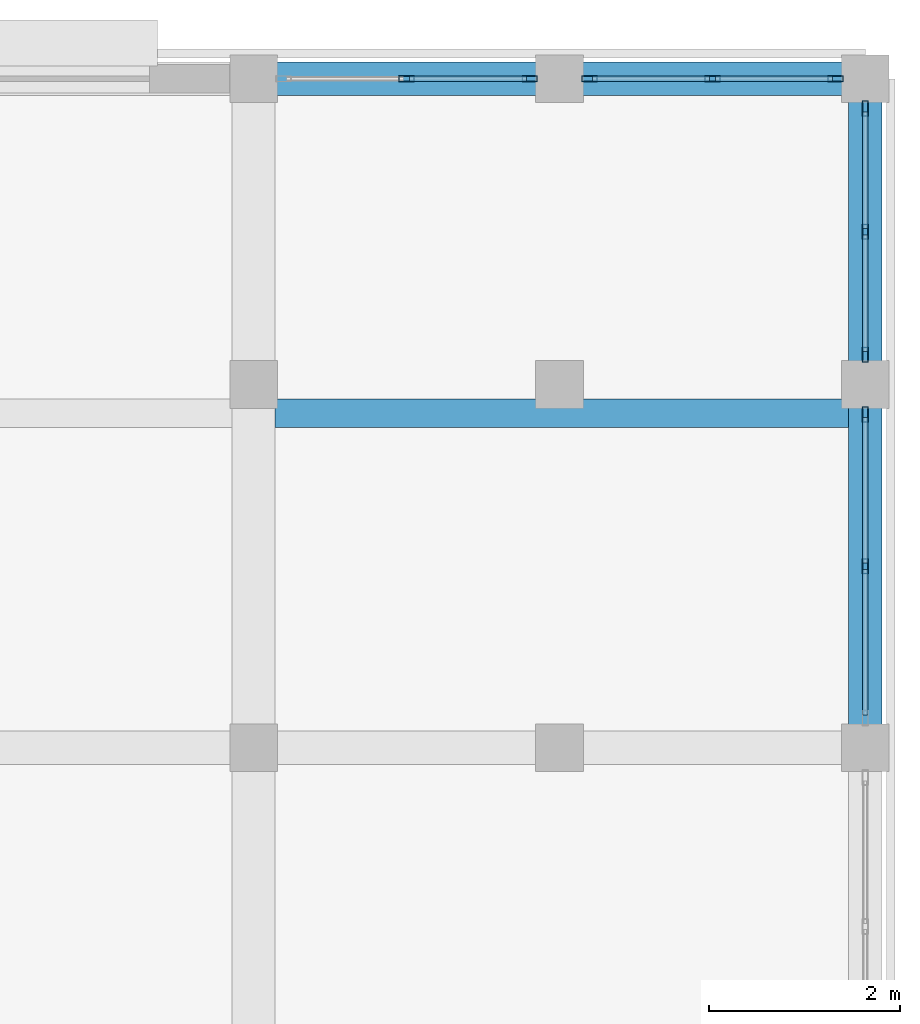
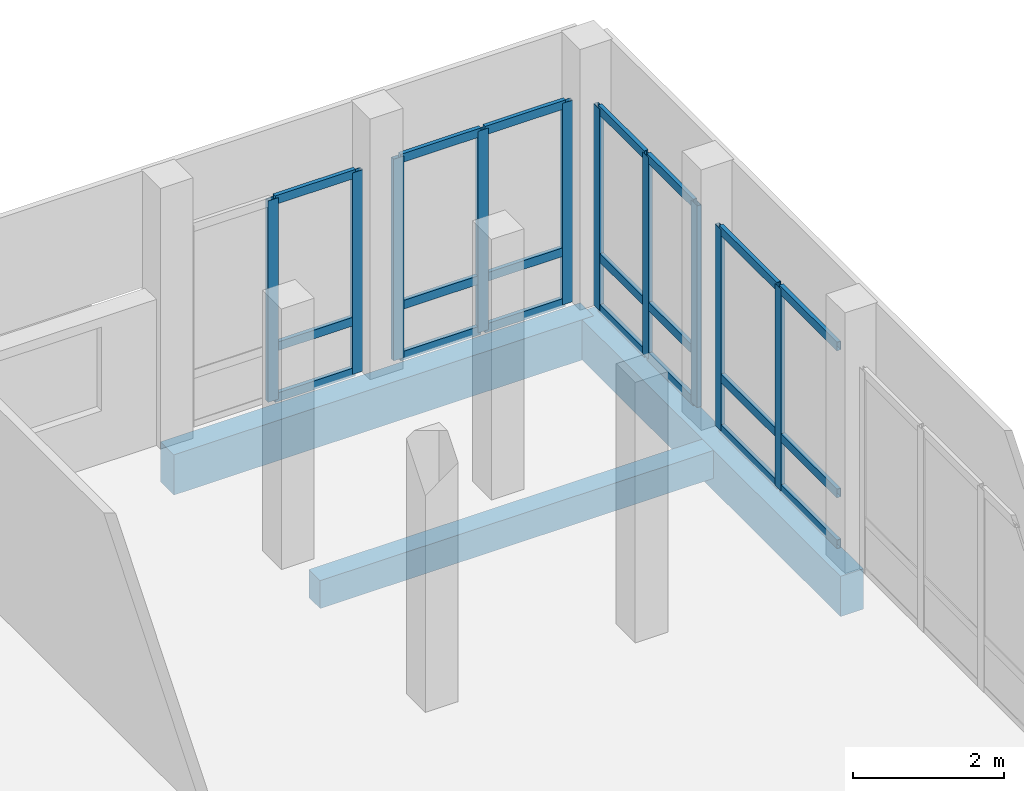
# One storey, part 18 of 29: 31 members, 3 beams, 4 elements without a shape of their own.
"""IFC4 building model written with IfcOpenShell, lengths in metres."""

from ifc_helpers import new_model, si_unit, direction, frame, origin, origin_2d, place, context, subcontext, project, spatial, rectangle, hollow_rectangle, extrude, material, material_profile, profile_set, type_object, element, aggregate, save


model = new_model("IFC4")

# Units and contexts
model_context = context("Model", 3, precision=1e-05, world=origin(), true_north=direction((0.0, 1.0)))
body_context = subcontext(model_context, "Body", "Model", "MODEL_VIEW")
ifc_project = project(units=[si_unit("LENGTHUNIT", "METRE"), si_unit("AREAUNIT", "SQUARE_METRE"), si_unit("VOLUMEUNIT", "CUBIC_METRE"), si_unit("PLANEANGLEUNIT", "RADIAN"), si_unit("MASSUNIT", "GRAM", prefix="KILO")], contexts=[model_context])

# Site, building, storey
site_placement = place(None, origin())
site = spatial("IfcSite", under=ifc_project, at=site_placement, CompositionType="ELEMENT")
building_placement = place(site_placement, origin())
building = spatial("IfcBuilding", under=site, at=building_placement, Name="Vondelvale Polytechnic", CompositionType="ELEMENT")
storey_placement = place(building_placement, frame((0.0, 0.0, 26.39990234375)))
storey = spatial("IfcBuildingStorey", under=building, at=storey_placement, Name="L06", CompositionType="ELEMENT", Elevation=26.39990234375)

# Curtain wall, members
ifc_material_1 = material(Name="Anodised extruded aluminium 6063-T6", Category="aluminium")
curtain_wall_type = type_object("IfcCurtainWallType", Name="CW-STUDIO-NORTH", PredefinedType="NOTDEFINED", material=ifc_material_1)
curtain_wall_1_placement = place(storey_placement, origin())
curtain_wall_1 = element("IfcCurtainWall", 1, at=curtain_wall_1_placement, inside=storey, type_object=curtain_wall_type, Name="L06 architectural curtain wall CW-01-051", PredefinedType="NOTDEFINED")
ifc_material_profile_1 = material_profile(ifc_material_1, hollow_rectangle(XDim=0.06494140625, YDim=0.159912109375, WallThickness=0.0048828125, at=origin_2d()), Name="CW-MUL-160x65")
ifc_profile_set_1 = profile_set([ifc_material_profile_1], Name="Anodised extruded aluminium 6063-T6")
member_type_1 = type_object("IfcMemberType", Name="CW-MUL-65x160", PredefinedType="MULLION", material=ifc_profile_set_1)
member_1_placement = place(storey_placement, frame((44.800048828125, 32.5, 0.0), z_axis=(0.0, 0.0, 1.0), x_axis=(-1.0, 0.0, 0.0)))
member_1 = element("IfcMember", 2, at=member_1_placement, type_object=member_type_1, Name="CW-01-051 mullion 2", PredefinedType="MULLION", context=body_context, shape_type="SweptSolid", body=[
    extrude(hollow_rectangle(XDim=0.06494140625, YDim=0.159912109375, WallThickness=0.0048828125, at=origin_2d()), origin(), (0.0, 0.0, 1.0), 3.25),
])
member_2_placement = place(storey_placement, frame((44.800048828125, 34.08740234375, 0.0), z_axis=(0.0, 0.0, 1.0), x_axis=(-1.0, 0.0, 0.0)))
member_2 = element("IfcMember", 3, at=member_2_placement, type_object=member_type_1, Name="CW-01-051 mullion 3", PredefinedType="MULLION", context=body_context, shape_type="SweptSolid", body=[
    extrude(hollow_rectangle(XDim=0.06494140625, YDim=0.159912109375, WallThickness=0.0048828125, at=origin_2d()), origin(), (0.0, 0.0, 1.0), 3.25),
])

curtain_wall_2_placement = place(storey_placement, origin())
curtain_wall_2 = element("IfcCurtainWall", 4, at=curtain_wall_2_placement, inside=storey, type_object=curtain_wall_type, Name="L06 architectural curtain wall CW-01-052", PredefinedType="NOTDEFINED")
member_3_placement = place(storey_placement, frame((44.800048828125, 34.71240234375, 0.0), z_axis=(0.0, 0.0, 1.0), x_axis=(-1.0, 0.0, 0.0)))
member_3 = element("IfcMember", 5, at=member_3_placement, type_object=member_type_1, Name="CW-01-052 mullion 1", PredefinedType="MULLION", context=body_context, shape_type="SweptSolid", body=[
    extrude(hollow_rectangle(XDim=0.06494140625, YDim=0.159912109375, WallThickness=0.0048828125, at=origin_2d()), origin(), (0.0, 0.0, 1.0), 3.25),
])
member_4_placement = place(storey_placement, frame((44.800048828125, 36.0, 0.0), z_axis=(0.0, 0.0, 1.0), x_axis=(-1.0, 0.0, 0.0)))
member_4 = element("IfcMember", 6, at=member_4_placement, type_object=member_type_1, Name="CW-01-052 mullion 2", PredefinedType="MULLION", context=body_context, shape_type="SweptSolid", body=[
    extrude(hollow_rectangle(XDim=0.06494140625, YDim=0.159912109375, WallThickness=0.0048828125, at=origin_2d()), origin(), (0.0, 0.0, 1.0), 3.25),
])
member_5_placement = place(storey_placement, frame((44.800048828125, 37.28759765625, 0.0), z_axis=(0.0, 0.0, 1.0), x_axis=(-1.0, 0.0, 0.0)))
member_5 = element("IfcMember", 7, at=member_5_placement, type_object=member_type_1, Name="CW-01-052 mullion 3", PredefinedType="MULLION", context=body_context, shape_type="SweptSolid", body=[
    extrude(hollow_rectangle(XDim=0.06494140625, YDim=0.159912109375, WallThickness=0.0048828125, at=origin_2d()), origin(), (0.0, 0.0, 1.0), 3.25),
])

curtain_wall_3_placement = place(storey_placement, origin())
curtain_wall_3 = element("IfcCurtainWall", 8, at=curtain_wall_3_placement, inside=storey, type_object=curtain_wall_type, Name="L06 architectural curtain wall CW-01-056", PredefinedType="NOTDEFINED")
member_6_placement = place(storey_placement, frame((40.0, 37.60009765625, 0.0), z_axis=(0.0, 0.0, 1.0), x_axis=(0.0, 1.0, 0.0)))
member_6 = element("IfcMember", 9, at=member_6_placement, type_object=member_type_1, Name="CW-01-056 mullion 2", PredefinedType="MULLION", context=body_context, shape_type="SweptSolid", body=[
    extrude(hollow_rectangle(XDim=0.06494140625, YDim=0.159912109375, WallThickness=0.0048828125, at=origin_2d()), origin(), (0.0, 0.0, 1.0), 3.25),
])
member_7_placement = place(storey_placement, frame((41.28759765625, 37.60009765625, 0.0), z_axis=(0.0, 0.0, 1.0), x_axis=(0.0, 1.0, 0.0)))
member_7 = element("IfcMember", 10, at=member_7_placement, type_object=member_type_1, Name="CW-01-056 mullion 3", PredefinedType="MULLION", context=body_context, shape_type="SweptSolid", body=[
    extrude(hollow_rectangle(XDim=0.06494140625, YDim=0.159912109375, WallThickness=0.0048828125, at=origin_2d()), origin(), (0.0, 0.0, 1.0), 3.25),
])

curtain_wall_4_placement = place(storey_placement, origin())
curtain_wall_4 = element("IfcCurtainWall", 11, at=curtain_wall_4_placement, inside=storey, type_object=curtain_wall_type, Name="L06 architectural curtain wall CW-01-057", PredefinedType="NOTDEFINED")
member_8_placement = place(storey_placement, frame((41.91259765625, 37.60009765625, 0.0), z_axis=(0.0, 0.0, 1.0), x_axis=(0.0, 1.0, 0.0)))
member_8 = element("IfcMember", 12, at=member_8_placement, type_object=member_type_1, Name="CW-01-057 mullion 1", PredefinedType="MULLION", context=body_context, shape_type="SweptSolid", body=[
    extrude(hollow_rectangle(XDim=0.06494140625, YDim=0.159912109375, WallThickness=0.0048828125, at=origin_2d()), origin(), (0.0, 0.0, 1.0), 3.25),
])
member_9_placement = place(storey_placement, frame((43.199951171875, 37.60009765625, 0.0), z_axis=(0.0, 0.0, 1.0), x_axis=(0.0, 1.0, 0.0)))
member_9 = element("IfcMember", 13, at=member_9_placement, type_object=member_type_1, Name="CW-01-057 mullion 2", PredefinedType="MULLION", context=body_context, shape_type="SweptSolid", body=[
    extrude(hollow_rectangle(XDim=0.06494140625, YDim=0.159912109375, WallThickness=0.0048828125, at=origin_2d()), origin(), (0.0, 0.0, 1.0), 3.25),
])
member_10_placement = place(storey_placement, frame((44.487548828125, 37.60009765625, 0.0), z_axis=(0.0, 0.0, 1.0), x_axis=(0.0, 1.0, 0.0)))
member_10 = element("IfcMember", 14, at=member_10_placement, type_object=member_type_1, Name="CW-01-057 mullion 3", PredefinedType="MULLION", context=body_context, shape_type="SweptSolid", body=[
    extrude(hollow_rectangle(XDim=0.06494140625, YDim=0.159912109375, WallThickness=0.0048828125, at=origin_2d()), origin(), (0.0, 0.0, 1.0), 3.25),
])

# Member
ifc_material_profile_2 = material_profile(ifc_material_1, hollow_rectangle(XDim=0.06005859375, YDim=0.139892578125, WallThickness=0.00341796875, at=origin_2d()), Name="CW-TRN-140x60")
ifc_profile_set_2 = profile_set([ifc_material_profile_2], Name="Anodised extruded aluminium 6063-T6")
member_type_2 = type_object("IfcMemberType", Name="CW-TRN-60x140", PredefinedType="USERDEFINED", material=ifc_profile_set_2)
member_11_placement = place(storey_placement, frame((44.800048828125, 30.945068359375, 0.030029296875), z_axis=(0.0, 1.0, 0.0), x_axis=(-1.0, 0.0, 0.0)))
member_11 = element("IfcMember", 15, at=member_11_placement, type_object=member_type_2, Name="CW-01-051 transom 1.1", ObjectType="TRANSOM", PredefinedType="USERDEFINED", context=body_context, shape_type="SweptSolid", body=[
    extrude(hollow_rectangle(XDim=0.06005859375, YDim=0.139892578125, WallThickness=0.00341796875, at=origin_2d()), origin(), (0.0, 0.0, 1.0), 1.5224609375),
])

member_12_placement = place(storey_placement, frame((44.800048828125, 30.945068359375, 0.85009765625), z_axis=(0.0, 1.0, 0.0), x_axis=(-1.0, 0.0, 0.0)))
member_12 = element("IfcMember", 16, at=member_12_placement, type_object=member_type_2, Name="CW-01-051 transom 1.2", ObjectType="TRANSOM", PredefinedType="USERDEFINED", context=body_context, shape_type="SweptSolid", body=[
    extrude(hollow_rectangle(XDim=0.06005859375, YDim=0.139892578125, WallThickness=0.00341796875, at=origin_2d()), origin(), (0.0, 0.0, 1.0), 1.5224609375),
])

member_13_placement = place(storey_placement, frame((44.800048828125, 30.945068359375, 3.22021484375), z_axis=(0.0, 1.0, 0.0), x_axis=(-1.0, 0.0, 0.0)))
member_13 = element("IfcMember", 17, at=member_13_placement, type_object=member_type_2, Name="CW-01-051 transom 1.3", ObjectType="TRANSOM", PredefinedType="USERDEFINED", context=body_context, shape_type="SweptSolid", body=[
    extrude(hollow_rectangle(XDim=0.06005859375, YDim=0.139892578125, WallThickness=0.00341796875, at=origin_2d()), origin(), (0.0, 0.0, 1.0), 1.5224609375),
])

member_14_placement = place(storey_placement, frame((44.800048828125, 32.532470703125, 0.030029296875), z_axis=(0.0, 1.0, 0.0), x_axis=(-1.0, 0.0, 0.0)))
member_14 = element("IfcMember", 18, at=member_14_placement, type_object=member_type_2, Name="CW-01-051 transom 2.1", ObjectType="TRANSOM", PredefinedType="USERDEFINED", context=body_context, shape_type="SweptSolid", body=[
    extrude(hollow_rectangle(XDim=0.06005859375, YDim=0.139892578125, WallThickness=0.00341796875, at=origin_2d()), origin(), (0.0, 0.0, 1.0), 1.5224609375),
])

member_15_placement = place(storey_placement, frame((44.800048828125, 32.532470703125, 0.85009765625), z_axis=(0.0, 1.0, 0.0), x_axis=(-1.0, 0.0, 0.0)))
member_15 = element("IfcMember", 19, at=member_15_placement, type_object=member_type_2, Name="CW-01-051 transom 2.2", ObjectType="TRANSOM", PredefinedType="USERDEFINED", context=body_context, shape_type="SweptSolid", body=[
    extrude(hollow_rectangle(XDim=0.06005859375, YDim=0.139892578125, WallThickness=0.00341796875, at=origin_2d()), origin(), (0.0, 0.0, 1.0), 1.5224609375),
])

member_16_placement = place(storey_placement, frame((44.800048828125, 32.532470703125, 3.22021484375), z_axis=(0.0, 1.0, 0.0), x_axis=(-1.0, 0.0, 0.0)))
member_16 = element("IfcMember", 20, at=member_16_placement, type_object=member_type_2, Name="CW-01-051 transom 2.3", ObjectType="TRANSOM", PredefinedType="USERDEFINED", context=body_context, shape_type="SweptSolid", body=[
    extrude(hollow_rectangle(XDim=0.06005859375, YDim=0.139892578125, WallThickness=0.00341796875, at=origin_2d()), origin(), (0.0, 0.0, 1.0), 1.5224609375),
])

aggregate(curtain_wall_1, [member_1, member_2, member_11, member_12, member_13, member_14, member_15, member_16])

member_17_placement = place(storey_placement, frame((44.800048828125, 34.7451171875, 0.030029296875), z_axis=(0.0, 1.0, 0.0), x_axis=(-1.0, 0.0, 0.0)))
member_17 = element("IfcMember", 21, at=member_17_placement, type_object=member_type_2, Name="CW-01-052 transom 1.1", ObjectType="TRANSOM", PredefinedType="USERDEFINED", context=body_context, shape_type="SweptSolid", body=[
    extrude(hollow_rectangle(XDim=0.06005859375, YDim=0.139892578125, WallThickness=0.00341796875, at=origin_2d()), origin(), (0.0, 0.0, 1.0), 1.222412109375),
])

member_18_placement = place(storey_placement, frame((44.800048828125, 34.7451171875, 0.85009765625), z_axis=(0.0, 1.0, 0.0), x_axis=(-1.0, 0.0, 0.0)))
member_18 = element("IfcMember", 22, at=member_18_placement, type_object=member_type_2, Name="CW-01-052 transom 1.2", ObjectType="TRANSOM", PredefinedType="USERDEFINED", context=body_context, shape_type="SweptSolid", body=[
    extrude(hollow_rectangle(XDim=0.06005859375, YDim=0.139892578125, WallThickness=0.00341796875, at=origin_2d()), origin(), (0.0, 0.0, 1.0), 1.222412109375),
])

member_19_placement = place(storey_placement, frame((44.800048828125, 34.7451171875, 3.22021484375), z_axis=(0.0, 1.0, 0.0), x_axis=(-1.0, 0.0, 0.0)))
member_19 = element("IfcMember", 23, at=member_19_placement, type_object=member_type_2, Name="CW-01-052 transom 1.3", ObjectType="TRANSOM", PredefinedType="USERDEFINED", context=body_context, shape_type="SweptSolid", body=[
    extrude(hollow_rectangle(XDim=0.06005859375, YDim=0.139892578125, WallThickness=0.00341796875, at=origin_2d()), origin(), (0.0, 0.0, 1.0), 1.222412109375),
])

member_20_placement = place(storey_placement, frame((44.800048828125, 36.032470703125, 0.030029296875), z_axis=(0.0, 1.0, 0.0), x_axis=(-1.0, 0.0, 0.0)))
member_20 = element("IfcMember", 24, at=member_20_placement, type_object=member_type_2, Name="CW-01-052 transom 2.1", ObjectType="TRANSOM", PredefinedType="USERDEFINED", context=body_context, shape_type="SweptSolid", body=[
    extrude(hollow_rectangle(XDim=0.06005859375, YDim=0.139892578125, WallThickness=0.00341796875, at=origin_2d()), origin(), (0.0, 0.0, 1.0), 1.222412109375),
])

member_21_placement = place(storey_placement, frame((44.800048828125, 36.032470703125, 0.85009765625), z_axis=(0.0, 1.0, 0.0), x_axis=(-1.0, 0.0, 0.0)))
member_21 = element("IfcMember", 25, at=member_21_placement, type_object=member_type_2, Name="CW-01-052 transom 2.2", ObjectType="TRANSOM", PredefinedType="USERDEFINED", context=body_context, shape_type="SweptSolid", body=[
    extrude(hollow_rectangle(XDim=0.06005859375, YDim=0.139892578125, WallThickness=0.00341796875, at=origin_2d()), origin(), (0.0, 0.0, 1.0), 1.222412109375),
])

member_22_placement = place(storey_placement, frame((44.800048828125, 36.032470703125, 3.22021484375), z_axis=(0.0, 1.0, 0.0), x_axis=(-1.0, 0.0, 0.0)))
member_22 = element("IfcMember", 26, at=member_22_placement, type_object=member_type_2, Name="CW-01-052 transom 2.3", ObjectType="TRANSOM", PredefinedType="USERDEFINED", context=body_context, shape_type="SweptSolid", body=[
    extrude(hollow_rectangle(XDim=0.06005859375, YDim=0.139892578125, WallThickness=0.00341796875, at=origin_2d()), origin(), (0.0, 0.0, 1.0), 1.222412109375),
])

aggregate(curtain_wall_2, [member_3, member_4, member_5, member_17, member_18, member_19, member_20, member_21, member_22])

member_23_placement = place(storey_placement, frame((40.032470703125, 37.60009765625, 0.030029296875), z_axis=(1.0, 0.0, 0.0), x_axis=(0.0, 1.0, 0.0)))
member_23 = element("IfcMember", 27, at=member_23_placement, type_object=member_type_2, Name="CW-01-056 transom 2.1", ObjectType="TRANSOM", PredefinedType="USERDEFINED", context=body_context, shape_type="SweptSolid", body=[
    extrude(hollow_rectangle(XDim=0.06005859375, YDim=0.139892578125, WallThickness=0.00341796875, at=origin_2d()), origin(), (0.0, 0.0, 1.0), 1.222412109375),
])

member_24_placement = place(storey_placement, frame((40.032470703125, 37.60009765625, 0.85009765625), z_axis=(1.0, 0.0, 0.0), x_axis=(0.0, 1.0, 0.0)))
member_24 = element("IfcMember", 28, at=member_24_placement, type_object=member_type_2, Name="CW-01-056 transom 2.2", ObjectType="TRANSOM", PredefinedType="USERDEFINED", context=body_context, shape_type="SweptSolid", body=[
    extrude(hollow_rectangle(XDim=0.06005859375, YDim=0.139892578125, WallThickness=0.00341796875, at=origin_2d()), origin(), (0.0, 0.0, 1.0), 1.222412109375),
])

member_25_placement = place(storey_placement, frame((40.032470703125, 37.60009765625, 3.22021484375), z_axis=(1.0, 0.0, 0.0), x_axis=(0.0, 1.0, 0.0)))
member_25 = element("IfcMember", 29, at=member_25_placement, type_object=member_type_2, Name="CW-01-056 transom 2.3", ObjectType="TRANSOM", PredefinedType="USERDEFINED", context=body_context, shape_type="SweptSolid", body=[
    extrude(hollow_rectangle(XDim=0.06005859375, YDim=0.139892578125, WallThickness=0.00341796875, at=origin_2d()), origin(), (0.0, 0.0, 1.0), 1.222412109375),
])

aggregate(curtain_wall_3, [member_6, member_7, member_23, member_24, member_25])

member_26_placement = place(storey_placement, frame((41.945068359375, 37.60009765625, 0.030029296875), z_axis=(1.0, 0.0, 0.0), x_axis=(0.0, 1.0, 0.0)))
member_26 = element("IfcMember", 30, at=member_26_placement, type_object=member_type_2, Name="CW-01-057 transom 1.1", ObjectType="TRANSOM", PredefinedType="USERDEFINED", context=body_context, shape_type="SweptSolid", body=[
    extrude(hollow_rectangle(XDim=0.06005859375, YDim=0.139892578125, WallThickness=0.00341796875, at=origin_2d()), origin(), (0.0, 0.0, 1.0), 1.222412109375),
])

member_27_placement = place(storey_placement, frame((41.945068359375, 37.60009765625, 0.85009765625), z_axis=(1.0, 0.0, 0.0), x_axis=(0.0, 1.0, 0.0)))
member_27 = element("IfcMember", 31, at=member_27_placement, type_object=member_type_2, Name="CW-01-057 transom 1.2", ObjectType="TRANSOM", PredefinedType="USERDEFINED", context=body_context, shape_type="SweptSolid", body=[
    extrude(hollow_rectangle(XDim=0.06005859375, YDim=0.139892578125, WallThickness=0.00341796875, at=origin_2d()), origin(), (0.0, 0.0, 1.0), 1.222412109375),
])

member_28_placement = place(storey_placement, frame((41.945068359375, 37.60009765625, 3.22021484375), z_axis=(1.0, 0.0, 0.0), x_axis=(0.0, 1.0, 0.0)))
member_28 = element("IfcMember", 32, at=member_28_placement, type_object=member_type_2, Name="CW-01-057 transom 1.3", ObjectType="TRANSOM", PredefinedType="USERDEFINED", context=body_context, shape_type="SweptSolid", body=[
    extrude(hollow_rectangle(XDim=0.06005859375, YDim=0.139892578125, WallThickness=0.00341796875, at=origin_2d()), origin(), (0.0, 0.0, 1.0), 1.222412109375),
])

member_29_placement = place(storey_placement, frame((43.232421875, 37.60009765625, 0.030029296875), z_axis=(1.0, 0.0, 0.0), x_axis=(0.0, 1.0, 0.0)))
member_29 = element("IfcMember", 33, at=member_29_placement, type_object=member_type_2, Name="CW-01-057 transom 2.1", ObjectType="TRANSOM", PredefinedType="USERDEFINED", context=body_context, shape_type="SweptSolid", body=[
    extrude(hollow_rectangle(XDim=0.06005859375, YDim=0.139892578125, WallThickness=0.00341796875, at=origin_2d()), origin(), (0.0, 0.0, 1.0), 1.22265625),
])

member_30_placement = place(storey_placement, frame((43.232421875, 37.60009765625, 0.85009765625), z_axis=(1.0, 0.0, 0.0), x_axis=(0.0, 1.0, 0.0)))
member_30 = element("IfcMember", 34, at=member_30_placement, type_object=member_type_2, Name="CW-01-057 transom 2.2", ObjectType="TRANSOM", PredefinedType="USERDEFINED", context=body_context, shape_type="SweptSolid", body=[
    extrude(hollow_rectangle(XDim=0.06005859375, YDim=0.139892578125, WallThickness=0.00341796875, at=origin_2d()), origin(), (0.0, 0.0, 1.0), 1.22265625),
])

member_31_placement = place(storey_placement, frame((43.232421875, 37.60009765625, 3.22021484375), z_axis=(1.0, 0.0, 0.0), x_axis=(0.0, 1.0, 0.0)))
member_31 = element("IfcMember", 35, at=member_31_placement, type_object=member_type_2, Name="CW-01-057 transom 2.3", ObjectType="TRANSOM", PredefinedType="USERDEFINED", context=body_context, shape_type="SweptSolid", body=[
    extrude(hollow_rectangle(XDim=0.06005859375, YDim=0.139892578125, WallThickness=0.00341796875, at=origin_2d()), origin(), (0.0, 0.0, 1.0), 1.22265625),
])

aggregate(curtain_wall_4, [member_8, member_9, member_10, member_26, member_27, member_28, member_29, member_30, member_31])

# Beams
ifc_material_2 = material(Name="Concrete N40 (f'c = 40 MPa)", Category="concrete")
ifc_material_profile_3 = material_profile(ifc_material_2, rectangle(XDim=0.300048828125, YDim=0.449951171875, at=origin_2d()), Name="RC-JST-300x450")
ifc_profile_set_3 = profile_set([ifc_material_profile_3], Name="Concrete N40 (f'c = 40 MPa)")
beam_type_1 = type_object("IfcBeamType", Name="JST-RC300x450", PredefinedType="JOIST", material=ifc_profile_set_3)
beam_1_placement = place(storey_placement, frame((38.625, 34.10009765625, -0.449951171875), z_axis=(1.0, 0.0, 0.0), x_axis=(0.0, 1.0, 0.0)))
element("IfcBeam", 36, at=beam_1_placement, inside=storey, type_object=beam_type_1, Name="L06 J J-03", PredefinedType="JOIST", context=body_context, shape_type="SweptSolid", body=[
    extrude(rectangle(XDim=0.300048828125, YDim=0.449951171875, at=origin_2d()), origin(), (0.0, 0.0, 1.0), 6.0),
])
ifc_material_3 = material(Name="Precast concrete N40 (f'c = 40 MPa)", Category="concrete")
ifc_material_profile_4 = material_profile(ifc_material_3, rectangle(XDim=0.35009765625, YDim=0.64990234375, at=origin_2d()), Name="RC-SPN-350x650")
ifc_profile_set_4 = profile_set([ifc_material_profile_4], Name="Precast concrete N40 (f'c = 40 MPa)")
beam_type_2 = type_object("IfcBeamType", Name="SPN-PRE350x650", PredefinedType="SPANDREL", material=ifc_profile_set_4)
beam_2_placement = place(storey_placement, frame((38.39990234375, 37.60009765625, -0.5498046875), z_axis=(1.0, 0.0, 0.0), x_axis=(0.0, 1.0, 0.0)))
element("IfcBeam", 37, at=beam_2_placement, inside=storey, type_object=beam_type_2, Name="L06 B SP-02", PredefinedType="SPANDREL", context=body_context, shape_type="SweptSolid", body=[
    extrude(rectangle(XDim=0.35009765625, YDim=0.64990234375, at=origin_2d()), origin(), (0.0, 0.0, 1.0), 6.400146484375),
])
beam_3_placement = place(storey_placement, frame((44.800048828125, 30.60009765625, -0.5498046875), z_axis=(0.0, 1.0, 0.0), x_axis=(-1.0, 0.0, 0.0)))
element("IfcBeam", 38, at=beam_3_placement, inside=storey, type_object=beam_type_2, Name="L06 B SP-02", PredefinedType="SPANDREL", context=body_context, shape_type="SweptSolid", body=[
    extrude(rectangle(XDim=0.35009765625, YDim=0.64990234375, at=origin_2d()), origin(), (0.0, 0.0, 1.0), 7.0),
])

save(model, "model.ifc")
